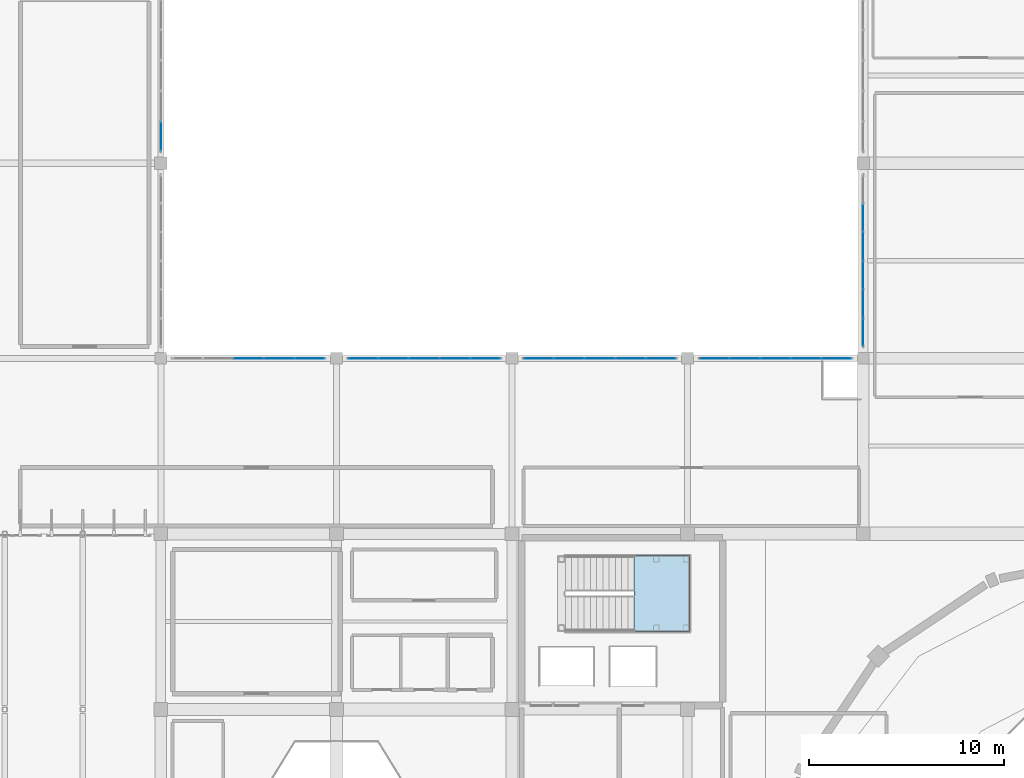
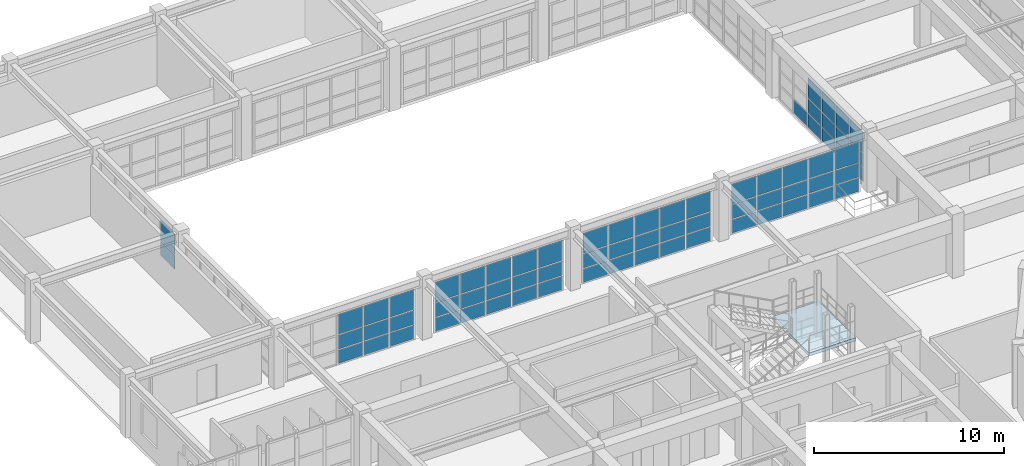
# One storey, part 85 of 110: 69 plates, 1 slab, 7 elements without a shape of their own.
"""IFC4 building model written with IfcOpenShell, lengths in metres."""

from ifc_helpers import new_model, si_unit, direction, frame, origin, origin_2d, place, context, subcontext, project, spatial, polyline, rectangle, outline, extrude, material, layer, layer_set, type_object, element, aggregate, save


model = new_model("IFC4")

# Units and contexts
model_context = context("Model", 3, precision=1e-05, world=origin(), true_north=direction((0.0, 1.0)))
body_context = subcontext(model_context, "Body", "Model", "MODEL_VIEW")
ifc_project = project(units=[si_unit("LENGTHUNIT", "METRE"), si_unit("AREAUNIT", "SQUARE_METRE"), si_unit("VOLUMEUNIT", "CUBIC_METRE"), si_unit("PLANEANGLEUNIT", "RADIAN"), si_unit("MASSUNIT", "GRAM", prefix="KILO")], contexts=[model_context])

# Site, building, storey
site_placement = place(None, origin())
site = spatial("IfcSite", under=ifc_project, at=site_placement, CompositionType="ELEMENT")
building_placement = place(site_placement, origin())
building = spatial("IfcBuilding", under=site, at=building_placement, Name="Miravela Opera House", CompositionType="ELEMENT")
storey_placement = place(building_placement, frame((0.0, 0.0, 13.60009765625)))
storey = spatial("IfcBuildingStorey", under=building, at=storey_placement, Name="L03", CompositionType="ELEMENT", Elevation=13.60009765625)

# Curtain wall, plates
ifc_material_1 = material(Name="Anodised architectural bronze aluminium 6063-T6", Category="aluminium")
curtain_wall_type = type_object("IfcCurtainWallType", Name="ARC-CW-05", PredefinedType="NOTDEFINED", material=ifc_material_1)
curtain_wall_1_placement = place(storey_placement, origin())
curtain_wall_1 = element("IfcCurtainWall", 1, at=curtain_wall_1_placement, inside=storey, type_object=curtain_wall_type, Name="Courtyard Arcade Curtain Wall CW-L03-101", PredefinedType="NOTDEFINED")
ifc_material_2 = material(Name="Acoustic laminated low-E insulating glass", Category="glass")
ifc_layer_1 = layer(ifc_material_2, 0.028076171875)
ifc_layer_set_1 = layer_set([ifc_layer_1])
plate_type = type_object("IfcPlateType", Name="ARC-CWP-28", PredefinedType="CURTAIN_PANEL", material=ifc_layer_set_1)
plate_1_placement = place(storey_placement, frame((31.5, 84.0, 0.06005859375), z_axis=(0.0, 0.0, 1.0), x_axis=(1.0, 0.0, 0.0)))
plate_1 = element("IfcPlate", 2, at=plate_1_placement, type_object=plate_type, Name="CW-05 panel 3.1", PredefinedType="CURTAIN_PANEL", context=body_context, shape_type="SweptSolid", body=[
    extrude(rectangle(XDim=1.508056640625, YDim=0.028076171875, at=origin_2d()), origin(), (0.0, 0.0, 1.0), 0.860107421875),
])
plate_2_placement = place(storey_placement, frame((31.5, 84.0, 0.97998046875), z_axis=(0.0, 0.0, 1.0), x_axis=(1.0, 0.0, 0.0)))
plate_2 = element("IfcPlate", 3, at=plate_2_placement, type_object=plate_type, Name="CW-05 panel 3.2", PredefinedType="CURTAIN_PANEL", context=body_context, shape_type="SweptSolid", body=[
    extrude(rectangle(XDim=1.508056640625, YDim=0.028076171875, at=origin_2d()), origin(), (0.0, 0.0, 1.0), 0.898193359375),
])
plate_3_placement = place(storey_placement, frame((31.5, 84.0, 1.93798828125), z_axis=(0.0, 0.0, 1.0), x_axis=(1.0, 0.0, 0.0)))
plate_3 = element("IfcPlate", 4, at=plate_3_placement, type_object=plate_type, Name="CW-05 panel 3.3", PredefinedType="CURTAIN_PANEL", context=body_context, shape_type="SweptSolid", body=[
    extrude(rectangle(XDim=1.508056640625, YDim=0.028076171875, at=origin_2d()), origin(), (0.0, 0.0, 1.0), 1.291748046875),
])
plate_4_placement = place(storey_placement, frame((33.068115234375, 84.0, 0.06005859375), z_axis=(0.0, 0.0, 1.0), x_axis=(1.0, 0.0, 0.0)))
plate_4 = element("IfcPlate", 5, at=plate_4_placement, type_object=plate_type, Name="CW-05 panel 4.1", PredefinedType="CURTAIN_PANEL", context=body_context, shape_type="SweptSolid", body=[
    extrude(rectangle(XDim=1.508056640625, YDim=0.028076171875, at=origin_2d()), origin(), (0.0, 0.0, 1.0), 0.860107421875),
])
plate_5_placement = place(storey_placement, frame((33.068115234375, 84.0, 0.97998046875), z_axis=(0.0, 0.0, 1.0), x_axis=(1.0, 0.0, 0.0)))
plate_5 = element("IfcPlate", 6, at=plate_5_placement, type_object=plate_type, Name="CW-05 panel 4.2", PredefinedType="CURTAIN_PANEL", context=body_context, shape_type="SweptSolid", body=[
    extrude(rectangle(XDim=1.508056640625, YDim=0.028076171875, at=origin_2d()), origin(), (0.0, 0.0, 1.0), 0.898193359375),
])
plate_6_placement = place(storey_placement, frame((33.068115234375, 84.0, 1.93798828125), z_axis=(0.0, 0.0, 1.0), x_axis=(1.0, 0.0, 0.0)))
plate_6 = element("IfcPlate", 7, at=plate_6_placement, type_object=plate_type, Name="CW-05 panel 4.3", PredefinedType="CURTAIN_PANEL", context=body_context, shape_type="SweptSolid", body=[
    extrude(rectangle(XDim=1.508056640625, YDim=0.028076171875, at=origin_2d()), origin(), (0.0, 0.0, 1.0), 1.291748046875),
])
plate_7_placement = place(storey_placement, frame((34.62109375, 84.0, 0.06005859375), z_axis=(0.0, 0.0, 1.0), x_axis=(1.0, 0.0, 0.0)))
plate_7 = element("IfcPlate", 8, at=plate_7_placement, type_object=plate_type, Name="CW-05 panel 5.1", PredefinedType="CURTAIN_PANEL", context=body_context, shape_type="SweptSolid", body=[
    extrude(rectangle(XDim=1.47802734375, YDim=0.028076171875, at=origin_2d()), origin(), (0.0, 0.0, 1.0), 0.860107421875),
])
plate_8_placement = place(storey_placement, frame((34.62109375, 84.0, 0.97998046875), z_axis=(0.0, 0.0, 1.0), x_axis=(1.0, 0.0, 0.0)))
plate_8 = element("IfcPlate", 9, at=plate_8_placement, type_object=plate_type, Name="CW-05 panel 5.2", PredefinedType="CURTAIN_PANEL", context=body_context, shape_type="SweptSolid", body=[
    extrude(rectangle(XDim=1.47802734375, YDim=0.028076171875, at=origin_2d()), origin(), (0.0, 0.0, 1.0), 0.898193359375),
])
plate_9_placement = place(storey_placement, frame((34.62109375, 84.0, 1.93798828125), z_axis=(0.0, 0.0, 1.0), x_axis=(1.0, 0.0, 0.0)))
plate_9 = element("IfcPlate", 10, at=plate_9_placement, type_object=plate_type, Name="CW-05 panel 5.3", PredefinedType="CURTAIN_PANEL", context=body_context, shape_type="SweptSolid", body=[
    extrude(rectangle(XDim=1.47802734375, YDim=0.028076171875, at=origin_2d()), origin(), (0.0, 0.0, 1.0), 1.291748046875),
])
aggregate(curtain_wall_1, [plate_1, plate_2, plate_3, plate_4, plate_5, plate_6, plate_7, plate_8, plate_9])

curtain_wall_2_placement = place(storey_placement, origin())
curtain_wall_2 = element("IfcCurtainWall", 11, at=curtain_wall_2_placement, inside=storey, type_object=curtain_wall_type, Name="Courtyard Arcade Curtain Wall CW-L03-103", PredefinedType="NOTDEFINED")
plate_10_placement = place(storey_placement, frame((37.37890625, 84.0, 0.06005859375), z_axis=(0.0, 0.0, 1.0), x_axis=(1.0, 0.0, 0.0)))
plate_10 = element("IfcPlate", 12, at=plate_10_placement, type_object=plate_type, Name="CW-05 panel 1.1", PredefinedType="CURTAIN_PANEL", context=body_context, shape_type="SweptSolid", body=[
    extrude(rectangle(XDim=1.47802734375, YDim=0.028076171875, at=origin_2d()), origin(), (0.0, 0.0, 1.0), 0.860107421875),
])
plate_11_placement = place(storey_placement, frame((37.37890625, 84.0, 0.97998046875), z_axis=(0.0, 0.0, 1.0), x_axis=(1.0, 0.0, 0.0)))
plate_11 = element("IfcPlate", 13, at=plate_11_placement, type_object=plate_type, Name="CW-05 panel 1.2", PredefinedType="CURTAIN_PANEL", context=body_context, shape_type="SweptSolid", body=[
    extrude(rectangle(XDim=1.47802734375, YDim=0.028076171875, at=origin_2d()), origin(), (0.0, 0.0, 1.0), 0.898193359375),
])
plate_12_placement = place(storey_placement, frame((37.37890625, 84.0, 1.93798828125), z_axis=(0.0, 0.0, 1.0), x_axis=(1.0, 0.0, 0.0)))
plate_12 = element("IfcPlate", 14, at=plate_12_placement, type_object=plate_type, Name="CW-05 panel 1.3", PredefinedType="CURTAIN_PANEL", context=body_context, shape_type="SweptSolid", body=[
    extrude(rectangle(XDim=1.47802734375, YDim=0.028076171875, at=origin_2d()), origin(), (0.0, 0.0, 1.0), 1.291748046875),
])
plate_13_placement = place(storey_placement, frame((38.931884765625, 84.0, 0.06005859375), z_axis=(0.0, 0.0, 1.0), x_axis=(1.0, 0.0, 0.0)))
plate_13 = element("IfcPlate", 15, at=plate_13_placement, type_object=plate_type, Name="CW-05 panel 2.1", PredefinedType="CURTAIN_PANEL", context=body_context, shape_type="SweptSolid", body=[
    extrude(rectangle(XDim=1.508056640625, YDim=0.028076171875, at=origin_2d()), origin(), (0.0, 0.0, 1.0), 0.860107421875),
])
plate_14_placement = place(storey_placement, frame((38.931884765625, 84.0, 0.97998046875), z_axis=(0.0, 0.0, 1.0), x_axis=(1.0, 0.0, 0.0)))
plate_14 = element("IfcPlate", 16, at=plate_14_placement, type_object=plate_type, Name="CW-05 panel 2.2", PredefinedType="CURTAIN_PANEL", context=body_context, shape_type="SweptSolid", body=[
    extrude(rectangle(XDim=1.508056640625, YDim=0.028076171875, at=origin_2d()), origin(), (0.0, 0.0, 1.0), 0.898193359375),
])
plate_15_placement = place(storey_placement, frame((38.931884765625, 84.0, 1.93798828125), z_axis=(0.0, 0.0, 1.0), x_axis=(1.0, 0.0, 0.0)))
plate_15 = element("IfcPlate", 17, at=plate_15_placement, type_object=plate_type, Name="CW-05 panel 2.3", PredefinedType="CURTAIN_PANEL", context=body_context, shape_type="SweptSolid", body=[
    extrude(rectangle(XDim=1.508056640625, YDim=0.028076171875, at=origin_2d()), origin(), (0.0, 0.0, 1.0), 1.291748046875),
])
plate_16_placement = place(storey_placement, frame((40.5, 84.0, 0.06005859375), z_axis=(0.0, 0.0, 1.0), x_axis=(1.0, 0.0, 0.0)))
plate_16 = element("IfcPlate", 18, at=plate_16_placement, type_object=plate_type, Name="CW-05 panel 3.1", PredefinedType="CURTAIN_PANEL", context=body_context, shape_type="SweptSolid", body=[
    extrude(rectangle(XDim=1.508056640625, YDim=0.028076171875, at=origin_2d()), origin(), (0.0, 0.0, 1.0), 0.860107421875),
])
plate_17_placement = place(storey_placement, frame((40.5, 84.0, 0.97998046875), z_axis=(0.0, 0.0, 1.0), x_axis=(1.0, 0.0, 0.0)))
plate_17 = element("IfcPlate", 19, at=plate_17_placement, type_object=plate_type, Name="CW-05 panel 3.2", PredefinedType="CURTAIN_PANEL", context=body_context, shape_type="SweptSolid", body=[
    extrude(rectangle(XDim=1.508056640625, YDim=0.028076171875, at=origin_2d()), origin(), (0.0, 0.0, 1.0), 0.898193359375),
])
plate_18_placement = place(storey_placement, frame((40.5, 84.0, 1.93798828125), z_axis=(0.0, 0.0, 1.0), x_axis=(1.0, 0.0, 0.0)))
plate_18 = element("IfcPlate", 20, at=plate_18_placement, type_object=plate_type, Name="CW-05 panel 3.3", PredefinedType="CURTAIN_PANEL", context=body_context, shape_type="SweptSolid", body=[
    extrude(rectangle(XDim=1.508056640625, YDim=0.028076171875, at=origin_2d()), origin(), (0.0, 0.0, 1.0), 1.291748046875),
])
plate_19_placement = place(storey_placement, frame((42.068115234375, 84.0, 0.06005859375), z_axis=(0.0, 0.0, 1.0), x_axis=(1.0, 0.0, 0.0)))
plate_19 = element("IfcPlate", 21, at=plate_19_placement, type_object=plate_type, Name="CW-05 panel 4.1", PredefinedType="CURTAIN_PANEL", context=body_context, shape_type="SweptSolid", body=[
    extrude(rectangle(XDim=1.508056640625, YDim=0.028076171875, at=origin_2d()), origin(), (0.0, 0.0, 1.0), 0.860107421875),
])
plate_20_placement = place(storey_placement, frame((42.068115234375, 84.0, 0.97998046875), z_axis=(0.0, 0.0, 1.0), x_axis=(1.0, 0.0, 0.0)))
plate_20 = element("IfcPlate", 22, at=plate_20_placement, type_object=plate_type, Name="CW-05 panel 4.2", PredefinedType="CURTAIN_PANEL", context=body_context, shape_type="SweptSolid", body=[
    extrude(rectangle(XDim=1.508056640625, YDim=0.028076171875, at=origin_2d()), origin(), (0.0, 0.0, 1.0), 0.898193359375),
])
plate_21_placement = place(storey_placement, frame((42.068115234375, 84.0, 1.93798828125), z_axis=(0.0, 0.0, 1.0), x_axis=(1.0, 0.0, 0.0)))
plate_21 = element("IfcPlate", 23, at=plate_21_placement, type_object=plate_type, Name="CW-05 panel 4.3", PredefinedType="CURTAIN_PANEL", context=body_context, shape_type="SweptSolid", body=[
    extrude(rectangle(XDim=1.508056640625, YDim=0.028076171875, at=origin_2d()), origin(), (0.0, 0.0, 1.0), 1.291748046875),
])
plate_22_placement = place(storey_placement, frame((43.62109375, 84.0, 0.06005859375), z_axis=(0.0, 0.0, 1.0), x_axis=(1.0, 0.0, 0.0)))
plate_22 = element("IfcPlate", 24, at=plate_22_placement, type_object=plate_type, Name="CW-05 panel 5.1", PredefinedType="CURTAIN_PANEL", context=body_context, shape_type="SweptSolid", body=[
    extrude(rectangle(XDim=1.47802734375, YDim=0.028076171875, at=origin_2d()), origin(), (0.0, 0.0, 1.0), 0.860107421875),
])
plate_23_placement = place(storey_placement, frame((43.62109375, 84.0, 0.97998046875), z_axis=(0.0, 0.0, 1.0), x_axis=(1.0, 0.0, 0.0)))
plate_23 = element("IfcPlate", 25, at=plate_23_placement, type_object=plate_type, Name="CW-05 panel 5.2", PredefinedType="CURTAIN_PANEL", context=body_context, shape_type="SweptSolid", body=[
    extrude(rectangle(XDim=1.47802734375, YDim=0.028076171875, at=origin_2d()), origin(), (0.0, 0.0, 1.0), 0.898193359375),
])
plate_24_placement = place(storey_placement, frame((43.62109375, 84.0, 1.93798828125), z_axis=(0.0, 0.0, 1.0), x_axis=(1.0, 0.0, 0.0)))
plate_24 = element("IfcPlate", 26, at=plate_24_placement, type_object=plate_type, Name="CW-05 panel 5.3", PredefinedType="CURTAIN_PANEL", context=body_context, shape_type="SweptSolid", body=[
    extrude(rectangle(XDim=1.47802734375, YDim=0.028076171875, at=origin_2d()), origin(), (0.0, 0.0, 1.0), 1.291748046875),
])
aggregate(curtain_wall_2, [plate_10, plate_11, plate_12, plate_13, plate_14, plate_15, plate_16, plate_17, plate_18, plate_19, plate_20, plate_21, plate_22, plate_23, plate_24])

curtain_wall_3_placement = place(storey_placement, origin())
curtain_wall_3 = element("IfcCurtainWall", 27, at=curtain_wall_3_placement, inside=storey, type_object=curtain_wall_type, Name="Courtyard Arcade Curtain Wall CW-L03-105", PredefinedType="NOTDEFINED")
plate_25_placement = place(storey_placement, frame((46.37890625, 84.0, 0.06005859375), z_axis=(0.0, 0.0, 1.0), x_axis=(1.0, 0.0, 0.0)))
plate_25 = element("IfcPlate", 28, at=plate_25_placement, type_object=plate_type, Name="CW-05 panel 1.1", PredefinedType="CURTAIN_PANEL", context=body_context, shape_type="SweptSolid", body=[
    extrude(rectangle(XDim=1.47802734375, YDim=0.028076171875, at=origin_2d()), origin(), (0.0, 0.0, 1.0), 0.860107421875),
])
plate_26_placement = place(storey_placement, frame((46.37890625, 84.0, 0.97998046875), z_axis=(0.0, 0.0, 1.0), x_axis=(1.0, 0.0, 0.0)))
plate_26 = element("IfcPlate", 29, at=plate_26_placement, type_object=plate_type, Name="CW-05 panel 1.2", PredefinedType="CURTAIN_PANEL", context=body_context, shape_type="SweptSolid", body=[
    extrude(rectangle(XDim=1.47802734375, YDim=0.028076171875, at=origin_2d()), origin(), (0.0, 0.0, 1.0), 0.898193359375),
])
plate_27_placement = place(storey_placement, frame((46.37890625, 84.0, 1.93798828125), z_axis=(0.0, 0.0, 1.0), x_axis=(1.0, 0.0, 0.0)))
plate_27 = element("IfcPlate", 30, at=plate_27_placement, type_object=plate_type, Name="CW-05 panel 1.3", PredefinedType="CURTAIN_PANEL", context=body_context, shape_type="SweptSolid", body=[
    extrude(rectangle(XDim=1.47802734375, YDim=0.028076171875, at=origin_2d()), origin(), (0.0, 0.0, 1.0), 1.291748046875),
])
plate_28_placement = place(storey_placement, frame((47.931884765625, 84.0, 0.06005859375), z_axis=(0.0, 0.0, 1.0), x_axis=(1.0, 0.0, 0.0)))
plate_28 = element("IfcPlate", 31, at=plate_28_placement, type_object=plate_type, Name="CW-05 panel 2.1", PredefinedType="CURTAIN_PANEL", context=body_context, shape_type="SweptSolid", body=[
    extrude(rectangle(XDim=1.508056640625, YDim=0.028076171875, at=origin_2d()), origin(), (0.0, 0.0, 1.0), 0.860107421875),
])
plate_29_placement = place(storey_placement, frame((47.931884765625, 84.0, 0.97998046875), z_axis=(0.0, 0.0, 1.0), x_axis=(1.0, 0.0, 0.0)))
plate_29 = element("IfcPlate", 32, at=plate_29_placement, type_object=plate_type, Name="CW-05 panel 2.2", PredefinedType="CURTAIN_PANEL", context=body_context, shape_type="SweptSolid", body=[
    extrude(rectangle(XDim=1.508056640625, YDim=0.028076171875, at=origin_2d()), origin(), (0.0, 0.0, 1.0), 0.898193359375),
])
plate_30_placement = place(storey_placement, frame((47.931884765625, 84.0, 1.93798828125), z_axis=(0.0, 0.0, 1.0), x_axis=(1.0, 0.0, 0.0)))
plate_30 = element("IfcPlate", 33, at=plate_30_placement, type_object=plate_type, Name="CW-05 panel 2.3", PredefinedType="CURTAIN_PANEL", context=body_context, shape_type="SweptSolid", body=[
    extrude(rectangle(XDim=1.508056640625, YDim=0.028076171875, at=origin_2d()), origin(), (0.0, 0.0, 1.0), 1.291748046875),
])
plate_31_placement = place(storey_placement, frame((49.5, 84.0, 0.06005859375), z_axis=(0.0, 0.0, 1.0), x_axis=(1.0, 0.0, 0.0)))
plate_31 = element("IfcPlate", 34, at=plate_31_placement, type_object=plate_type, Name="CW-05 panel 3.1", PredefinedType="CURTAIN_PANEL", context=body_context, shape_type="SweptSolid", body=[
    extrude(rectangle(XDim=1.508056640625, YDim=0.028076171875, at=origin_2d()), origin(), (0.0, 0.0, 1.0), 0.860107421875),
])
plate_32_placement = place(storey_placement, frame((49.5, 84.0, 0.97998046875), z_axis=(0.0, 0.0, 1.0), x_axis=(1.0, 0.0, 0.0)))
plate_32 = element("IfcPlate", 35, at=plate_32_placement, type_object=plate_type, Name="CW-05 panel 3.2", PredefinedType="CURTAIN_PANEL", context=body_context, shape_type="SweptSolid", body=[
    extrude(rectangle(XDim=1.508056640625, YDim=0.028076171875, at=origin_2d()), origin(), (0.0, 0.0, 1.0), 0.898193359375),
])
plate_33_placement = place(storey_placement, frame((49.5, 84.0, 1.93798828125), z_axis=(0.0, 0.0, 1.0), x_axis=(1.0, 0.0, 0.0)))
plate_33 = element("IfcPlate", 36, at=plate_33_placement, type_object=plate_type, Name="CW-05 panel 3.3", PredefinedType="CURTAIN_PANEL", context=body_context, shape_type="SweptSolid", body=[
    extrude(rectangle(XDim=1.508056640625, YDim=0.028076171875, at=origin_2d()), origin(), (0.0, 0.0, 1.0), 1.291748046875),
])
plate_34_placement = place(storey_placement, frame((51.068115234375, 84.0, 0.06005859375), z_axis=(0.0, 0.0, 1.0), x_axis=(1.0, 0.0, 0.0)))
plate_34 = element("IfcPlate", 37, at=plate_34_placement, type_object=plate_type, Name="CW-05 panel 4.1", PredefinedType="CURTAIN_PANEL", context=body_context, shape_type="SweptSolid", body=[
    extrude(rectangle(XDim=1.508056640625, YDim=0.028076171875, at=origin_2d()), origin(), (0.0, 0.0, 1.0), 0.860107421875),
])
plate_35_placement = place(storey_placement, frame((51.068115234375, 84.0, 0.97998046875), z_axis=(0.0, 0.0, 1.0), x_axis=(1.0, 0.0, 0.0)))
plate_35 = element("IfcPlate", 38, at=plate_35_placement, type_object=plate_type, Name="CW-05 panel 4.2", PredefinedType="CURTAIN_PANEL", context=body_context, shape_type="SweptSolid", body=[
    extrude(rectangle(XDim=1.508056640625, YDim=0.028076171875, at=origin_2d()), origin(), (0.0, 0.0, 1.0), 0.898193359375),
])
plate_36_placement = place(storey_placement, frame((51.068115234375, 84.0, 1.93798828125), z_axis=(0.0, 0.0, 1.0), x_axis=(1.0, 0.0, 0.0)))
plate_36 = element("IfcPlate", 39, at=plate_36_placement, type_object=plate_type, Name="CW-05 panel 4.3", PredefinedType="CURTAIN_PANEL", context=body_context, shape_type="SweptSolid", body=[
    extrude(rectangle(XDim=1.508056640625, YDim=0.028076171875, at=origin_2d()), origin(), (0.0, 0.0, 1.0), 1.291748046875),
])
plate_37_placement = place(storey_placement, frame((52.62109375, 84.0, 0.06005859375), z_axis=(0.0, 0.0, 1.0), x_axis=(1.0, 0.0, 0.0)))
plate_37 = element("IfcPlate", 40, at=plate_37_placement, type_object=plate_type, Name="CW-05 panel 5.1", PredefinedType="CURTAIN_PANEL", context=body_context, shape_type="SweptSolid", body=[
    extrude(rectangle(XDim=1.47802734375, YDim=0.028076171875, at=origin_2d()), origin(), (0.0, 0.0, 1.0), 0.860107421875),
])
plate_38_placement = place(storey_placement, frame((52.62109375, 84.0, 0.97998046875), z_axis=(0.0, 0.0, 1.0), x_axis=(1.0, 0.0, 0.0)))
plate_38 = element("IfcPlate", 41, at=plate_38_placement, type_object=plate_type, Name="CW-05 panel 5.2", PredefinedType="CURTAIN_PANEL", context=body_context, shape_type="SweptSolid", body=[
    extrude(rectangle(XDim=1.47802734375, YDim=0.028076171875, at=origin_2d()), origin(), (0.0, 0.0, 1.0), 0.898193359375),
])
plate_39_placement = place(storey_placement, frame((52.62109375, 84.0, 1.93798828125), z_axis=(0.0, 0.0, 1.0), x_axis=(1.0, 0.0, 0.0)))
plate_39 = element("IfcPlate", 42, at=plate_39_placement, type_object=plate_type, Name="CW-05 panel 5.3", PredefinedType="CURTAIN_PANEL", context=body_context, shape_type="SweptSolid", body=[
    extrude(rectangle(XDim=1.47802734375, YDim=0.028076171875, at=origin_2d()), origin(), (0.0, 0.0, 1.0), 1.291748046875),
])
aggregate(curtain_wall_3, [plate_25, plate_26, plate_27, plate_28, plate_29, plate_30, plate_31, plate_32, plate_33, plate_34, plate_35, plate_36, plate_37, plate_38, plate_39])

curtain_wall_4_placement = place(storey_placement, origin())
curtain_wall_4 = element("IfcCurtainWall", 43, at=curtain_wall_4_placement, inside=storey, type_object=curtain_wall_type, Name="Courtyard Arcade Curtain Wall CW-L03-107", PredefinedType="NOTDEFINED")
plate_40_placement = place(storey_placement, frame((55.37890625, 84.0, 0.06005859375), z_axis=(0.0, 0.0, 1.0), x_axis=(1.0, 0.0, 0.0)))
plate_40 = element("IfcPlate", 44, at=plate_40_placement, type_object=plate_type, Name="CW-05 panel 1.1", PredefinedType="CURTAIN_PANEL", context=body_context, shape_type="SweptSolid", body=[
    extrude(rectangle(XDim=1.47802734375, YDim=0.028076171875, at=origin_2d()), origin(), (0.0, 0.0, 1.0), 0.860107421875),
])
plate_41_placement = place(storey_placement, frame((55.37890625, 84.0, 0.97998046875), z_axis=(0.0, 0.0, 1.0), x_axis=(1.0, 0.0, 0.0)))
plate_41 = element("IfcPlate", 45, at=plate_41_placement, type_object=plate_type, Name="CW-05 panel 1.2", PredefinedType="CURTAIN_PANEL", context=body_context, shape_type="SweptSolid", body=[
    extrude(rectangle(XDim=1.47802734375, YDim=0.028076171875, at=origin_2d()), origin(), (0.0, 0.0, 1.0), 0.898193359375),
])
plate_42_placement = place(storey_placement, frame((55.37890625, 84.0, 1.93798828125), z_axis=(0.0, 0.0, 1.0), x_axis=(1.0, 0.0, 0.0)))
plate_42 = element("IfcPlate", 46, at=plate_42_placement, type_object=plate_type, Name="CW-05 panel 1.3", PredefinedType="CURTAIN_PANEL", context=body_context, shape_type="SweptSolid", body=[
    extrude(rectangle(XDim=1.47802734375, YDim=0.028076171875, at=origin_2d()), origin(), (0.0, 0.0, 1.0), 1.291748046875),
])
plate_43_placement = place(storey_placement, frame((56.931884765625, 84.0, 0.06005859375), z_axis=(0.0, 0.0, 1.0), x_axis=(1.0, 0.0, 0.0)))
plate_43 = element("IfcPlate", 47, at=plate_43_placement, type_object=plate_type, Name="CW-05 panel 2.1", PredefinedType="CURTAIN_PANEL", context=body_context, shape_type="SweptSolid", body=[
    extrude(rectangle(XDim=1.508056640625, YDim=0.028076171875, at=origin_2d()), origin(), (0.0, 0.0, 1.0), 0.860107421875),
])
plate_44_placement = place(storey_placement, frame((56.931884765625, 84.0, 0.97998046875), z_axis=(0.0, 0.0, 1.0), x_axis=(1.0, 0.0, 0.0)))
plate_44 = element("IfcPlate", 48, at=plate_44_placement, type_object=plate_type, Name="CW-05 panel 2.2", PredefinedType="CURTAIN_PANEL", context=body_context, shape_type="SweptSolid", body=[
    extrude(rectangle(XDim=1.508056640625, YDim=0.028076171875, at=origin_2d()), origin(), (0.0, 0.0, 1.0), 0.898193359375),
])
plate_45_placement = place(storey_placement, frame((56.931884765625, 84.0, 1.93798828125), z_axis=(0.0, 0.0, 1.0), x_axis=(1.0, 0.0, 0.0)))
plate_45 = element("IfcPlate", 49, at=plate_45_placement, type_object=plate_type, Name="CW-05 panel 2.3", PredefinedType="CURTAIN_PANEL", context=body_context, shape_type="SweptSolid", body=[
    extrude(rectangle(XDim=1.508056640625, YDim=0.028076171875, at=origin_2d()), origin(), (0.0, 0.0, 1.0), 1.291748046875),
])
plate_46_placement = place(storey_placement, frame((58.5, 84.0, 0.06005859375), z_axis=(0.0, 0.0, 1.0), x_axis=(1.0, 0.0, 0.0)))
plate_46 = element("IfcPlate", 50, at=plate_46_placement, type_object=plate_type, Name="CW-05 panel 3.1", PredefinedType="CURTAIN_PANEL", context=body_context, shape_type="SweptSolid", body=[
    extrude(rectangle(XDim=1.508056640625, YDim=0.028076171875, at=origin_2d()), origin(), (0.0, 0.0, 1.0), 0.860107421875),
])
plate_47_placement = place(storey_placement, frame((58.5, 84.0, 0.97998046875), z_axis=(0.0, 0.0, 1.0), x_axis=(1.0, 0.0, 0.0)))
plate_47 = element("IfcPlate", 51, at=plate_47_placement, type_object=plate_type, Name="CW-05 panel 3.2", PredefinedType="CURTAIN_PANEL", context=body_context, shape_type="SweptSolid", body=[
    extrude(rectangle(XDim=1.508056640625, YDim=0.028076171875, at=origin_2d()), origin(), (0.0, 0.0, 1.0), 0.898193359375),
])
plate_48_placement = place(storey_placement, frame((58.5, 84.0, 1.93798828125), z_axis=(0.0, 0.0, 1.0), x_axis=(1.0, 0.0, 0.0)))
plate_48 = element("IfcPlate", 52, at=plate_48_placement, type_object=plate_type, Name="CW-05 panel 3.3", PredefinedType="CURTAIN_PANEL", context=body_context, shape_type="SweptSolid", body=[
    extrude(rectangle(XDim=1.508056640625, YDim=0.028076171875, at=origin_2d()), origin(), (0.0, 0.0, 1.0), 1.291748046875),
])
plate_49_placement = place(storey_placement, frame((60.068115234375, 84.0, 0.06005859375), z_axis=(0.0, 0.0, 1.0), x_axis=(1.0, 0.0, 0.0)))
plate_49 = element("IfcPlate", 53, at=plate_49_placement, type_object=plate_type, Name="CW-05 panel 4.1", PredefinedType="CURTAIN_PANEL", context=body_context, shape_type="SweptSolid", body=[
    extrude(rectangle(XDim=1.508056640625, YDim=0.028076171875, at=origin_2d()), origin(), (0.0, 0.0, 1.0), 0.860107421875),
])
plate_50_placement = place(storey_placement, frame((60.068115234375, 84.0, 0.97998046875), z_axis=(0.0, 0.0, 1.0), x_axis=(1.0, 0.0, 0.0)))
plate_50 = element("IfcPlate", 54, at=plate_50_placement, type_object=plate_type, Name="CW-05 panel 4.2", PredefinedType="CURTAIN_PANEL", context=body_context, shape_type="SweptSolid", body=[
    extrude(rectangle(XDim=1.508056640625, YDim=0.028076171875, at=origin_2d()), origin(), (0.0, 0.0, 1.0), 0.898193359375),
])
plate_51_placement = place(storey_placement, frame((60.068115234375, 84.0, 1.93798828125), z_axis=(0.0, 0.0, 1.0), x_axis=(1.0, 0.0, 0.0)))
plate_51 = element("IfcPlate", 55, at=plate_51_placement, type_object=plate_type, Name="CW-05 panel 4.3", PredefinedType="CURTAIN_PANEL", context=body_context, shape_type="SweptSolid", body=[
    extrude(rectangle(XDim=1.508056640625, YDim=0.028076171875, at=origin_2d()), origin(), (0.0, 0.0, 1.0), 1.291748046875),
])
plate_52_placement = place(storey_placement, frame((61.62109375, 84.0, 0.06005859375), z_axis=(0.0, 0.0, 1.0), x_axis=(1.0, 0.0, 0.0)))
plate_52 = element("IfcPlate", 56, at=plate_52_placement, type_object=plate_type, Name="CW-05 panel 5.1", PredefinedType="CURTAIN_PANEL", context=body_context, shape_type="SweptSolid", body=[
    extrude(rectangle(XDim=1.47802734375, YDim=0.028076171875, at=origin_2d()), origin(), (0.0, 0.0, 1.0), 0.860107421875),
])
plate_53_placement = place(storey_placement, frame((61.62109375, 84.0, 0.97998046875), z_axis=(0.0, 0.0, 1.0), x_axis=(1.0, 0.0, 0.0)))
plate_53 = element("IfcPlate", 57, at=plate_53_placement, type_object=plate_type, Name="CW-05 panel 5.2", PredefinedType="CURTAIN_PANEL", context=body_context, shape_type="SweptSolid", body=[
    extrude(rectangle(XDim=1.47802734375, YDim=0.028076171875, at=origin_2d()), origin(), (0.0, 0.0, 1.0), 0.898193359375),
])
plate_54_placement = place(storey_placement, frame((61.62109375, 84.0, 1.93798828125), z_axis=(0.0, 0.0, 1.0), x_axis=(1.0, 0.0, 0.0)))
plate_54 = element("IfcPlate", 58, at=plate_54_placement, type_object=plate_type, Name="CW-05 panel 5.3", PredefinedType="CURTAIN_PANEL", context=body_context, shape_type="SweptSolid", body=[
    extrude(rectangle(XDim=1.47802734375, YDim=0.028076171875, at=origin_2d()), origin(), (0.0, 0.0, 1.0), 1.291748046875),
])
aggregate(curtain_wall_4, [plate_40, plate_41, plate_42, plate_43, plate_44, plate_45, plate_46, plate_47, plate_48, plate_49, plate_50, plate_51, plate_52, plate_53, plate_54])

curtain_wall_5_placement = place(storey_placement, origin())
curtain_wall_5 = element("IfcCurtainWall", 59, at=curtain_wall_5_placement, inside=storey, type_object=curtain_wall_type, Name="Courtyard Arcade Curtain Wall CW-L03-110", PredefinedType="NOTDEFINED")
plate_55_placement = place(storey_placement, frame((27.0, 95.37890625, 0.97998046875), z_axis=(0.0, 0.0, 1.0), x_axis=(0.0, 1.0, 0.0)))
plate_55 = element("IfcPlate", 60, at=plate_55_placement, type_object=plate_type, Name="CW-05 panel 1.2", PredefinedType="CURTAIN_PANEL", context=body_context, shape_type="SweptSolid", body=[
    extrude(rectangle(XDim=1.47802734375, YDim=0.028076171875, at=origin_2d()), origin(), (0.0, 0.0, 1.0), 0.898193359375),
])
plate_56_placement = place(storey_placement, frame((27.0, 95.37890625, 1.93798828125), z_axis=(0.0, 0.0, 1.0), x_axis=(0.0, 1.0, 0.0)))
plate_56 = element("IfcPlate", 61, at=plate_56_placement, type_object=plate_type, Name="CW-05 panel 1.3", PredefinedType="CURTAIN_PANEL", context=body_context, shape_type="SweptSolid", body=[
    extrude(rectangle(XDim=1.47802734375, YDim=0.028076171875, at=origin_2d()), origin(), (0.0, 0.0, 1.0), 1.291748046875),
])
aggregate(curtain_wall_5, [plate_55, plate_56])

curtain_wall_6_placement = place(storey_placement, origin())
curtain_wall_6 = element("IfcCurtainWall", 62, at=curtain_wall_6_placement, inside=storey, type_object=curtain_wall_type, Name="Courtyard Arcade Curtain Wall CW-L03-111", PredefinedType="NOTDEFINED")
plate_57_placement = place(storey_placement, frame((63.0, 85.331787109375, 0.06005859375), z_axis=(0.0, 0.0, 1.0), x_axis=(0.0, 1.0, 0.0)))
plate_57 = element("IfcPlate", 63, at=plate_57_placement, type_object=plate_type, Name="CW-05 panel 1.1", PredefinedType="CURTAIN_PANEL", context=body_context, shape_type="SweptSolid", body=[
    extrude(rectangle(XDim=1.38330078125, YDim=0.028076171875, at=origin_2d()), origin(), (0.0, 0.0, 1.0), 0.860107421875),
])
plate_58_placement = place(storey_placement, frame((63.0, 85.331787109375, 0.97998046875), z_axis=(0.0, 0.0, 1.0), x_axis=(0.0, 1.0, 0.0)))
plate_58 = element("IfcPlate", 64, at=plate_58_placement, type_object=plate_type, Name="CW-05 panel 1.2", PredefinedType="CURTAIN_PANEL", context=body_context, shape_type="SweptSolid", body=[
    extrude(rectangle(XDim=1.38330078125, YDim=0.028076171875, at=origin_2d()), origin(), (0.0, 0.0, 1.0), 0.898193359375),
])
plate_59_placement = place(storey_placement, frame((63.0, 85.331787109375, 1.93798828125), z_axis=(0.0, 0.0, 1.0), x_axis=(0.0, 1.0, 0.0)))
plate_59 = element("IfcPlate", 65, at=plate_59_placement, type_object=plate_type, Name="CW-05 panel 1.3", PredefinedType="CURTAIN_PANEL", context=body_context, shape_type="SweptSolid", body=[
    extrude(rectangle(XDim=1.38330078125, YDim=0.028076171875, at=origin_2d()), origin(), (0.0, 0.0, 1.0), 1.291748046875),
])
plate_60_placement = place(storey_placement, frame((63.0, 86.7900390625, 0.06005859375), z_axis=(0.0, 0.0, 1.0), x_axis=(0.0, 1.0, 0.0)))
plate_60 = element("IfcPlate", 66, at=plate_60_placement, type_object=plate_type, Name="CW-05 panel 2.1", PredefinedType="CURTAIN_PANEL", context=body_context, shape_type="SweptSolid", body=[
    extrude(rectangle(XDim=1.413330078125, YDim=0.028076171875, at=origin_2d()), origin(), (0.0, 0.0, 1.0), 0.860107421875),
])
plate_61_placement = place(storey_placement, frame((63.0, 86.7900390625, 0.97998046875), z_axis=(0.0, 0.0, 1.0), x_axis=(0.0, 1.0, 0.0)))
plate_61 = element("IfcPlate", 67, at=plate_61_placement, type_object=plate_type, Name="CW-05 panel 2.2", PredefinedType="CURTAIN_PANEL", context=body_context, shape_type="SweptSolid", body=[
    extrude(rectangle(XDim=1.413330078125, YDim=0.028076171875, at=origin_2d()), origin(), (0.0, 0.0, 1.0), 0.898193359375),
])
plate_62_placement = place(storey_placement, frame((63.0, 86.7900390625, 1.93798828125), z_axis=(0.0, 0.0, 1.0), x_axis=(0.0, 1.0, 0.0)))
plate_62 = element("IfcPlate", 68, at=plate_62_placement, type_object=plate_type, Name="CW-05 panel 2.3", PredefinedType="CURTAIN_PANEL", context=body_context, shape_type="SweptSolid", body=[
    extrude(rectangle(XDim=1.413330078125, YDim=0.028076171875, at=origin_2d()), origin(), (0.0, 0.0, 1.0), 1.291748046875),
])
plate_63_placement = place(storey_placement, frame((63.0, 88.263427734375, 0.06005859375), z_axis=(0.0, 0.0, 1.0), x_axis=(0.0, 1.0, 0.0)))
plate_63 = element("IfcPlate", 69, at=plate_63_placement, type_object=plate_type, Name="CW-05 panel 3.1", PredefinedType="CURTAIN_PANEL", context=body_context, shape_type="SweptSolid", body=[
    extrude(rectangle(XDim=1.413330078125, YDim=0.028076171875, at=origin_2d()), origin(), (0.0, 0.0, 1.0), 0.860107421875),
])
plate_64_placement = place(storey_placement, frame((63.0, 88.263427734375, 0.97998046875), z_axis=(0.0, 0.0, 1.0), x_axis=(0.0, 1.0, 0.0)))
plate_64 = element("IfcPlate", 70, at=plate_64_placement, type_object=plate_type, Name="CW-05 panel 3.2", PredefinedType="CURTAIN_PANEL", context=body_context, shape_type="SweptSolid", body=[
    extrude(rectangle(XDim=1.413330078125, YDim=0.028076171875, at=origin_2d()), origin(), (0.0, 0.0, 1.0), 0.898193359375),
])
plate_65_placement = place(storey_placement, frame((63.0, 88.263427734375, 1.93798828125), z_axis=(0.0, 0.0, 1.0), x_axis=(0.0, 1.0, 0.0)))
plate_65 = element("IfcPlate", 71, at=plate_65_placement, type_object=plate_type, Name="CW-05 panel 3.3", PredefinedType="CURTAIN_PANEL", context=body_context, shape_type="SweptSolid", body=[
    extrude(rectangle(XDim=1.413330078125, YDim=0.028076171875, at=origin_2d()), origin(), (0.0, 0.0, 1.0), 1.291748046875),
])
plate_66_placement = place(storey_placement, frame((63.0, 89.736572265625, 0.06005859375), z_axis=(0.0, 0.0, 1.0), x_axis=(0.0, 1.0, 0.0)))
plate_66 = element("IfcPlate", 72, at=plate_66_placement, type_object=plate_type, Name="CW-05 panel 4.1", PredefinedType="CURTAIN_PANEL", context=body_context, shape_type="SweptSolid", body=[
    extrude(rectangle(XDim=1.413330078125, YDim=0.028076171875, at=origin_2d()), origin(), (0.0, 0.0, 1.0), 0.860107421875),
])
plate_67_placement = place(storey_placement, frame((63.0, 89.736572265625, 0.97998046875), z_axis=(0.0, 0.0, 1.0), x_axis=(0.0, 1.0, 0.0)))
plate_67 = element("IfcPlate", 73, at=plate_67_placement, type_object=plate_type, Name="CW-05 panel 4.2", PredefinedType="CURTAIN_PANEL", context=body_context, shape_type="SweptSolid", body=[
    extrude(rectangle(XDim=1.413330078125, YDim=0.028076171875, at=origin_2d()), origin(), (0.0, 0.0, 1.0), 0.898193359375),
])
plate_68_placement = place(storey_placement, frame((63.0, 89.736572265625, 1.93798828125), z_axis=(0.0, 0.0, 1.0), x_axis=(0.0, 1.0, 0.0)))
plate_68 = element("IfcPlate", 74, at=plate_68_placement, type_object=plate_type, Name="CW-05 panel 4.3", PredefinedType="CURTAIN_PANEL", context=body_context, shape_type="SweptSolid", body=[
    extrude(rectangle(XDim=1.413330078125, YDim=0.028076171875, at=origin_2d()), origin(), (0.0, 0.0, 1.0), 1.291748046875),
])
plate_69_placement = place(storey_placement, frame((63.0, 91.2099609375, 0.06005859375), z_axis=(0.0, 0.0, 1.0), x_axis=(0.0, 1.0, 0.0)))
plate_69 = element("IfcPlate", 75, at=plate_69_placement, type_object=plate_type, Name="CW-05 panel 5.1", PredefinedType="CURTAIN_PANEL", context=body_context, shape_type="SweptSolid", body=[
    extrude(rectangle(XDim=1.413330078125, YDim=0.028076171875, at=origin_2d()), origin(), (0.0, 0.0, 1.0), 0.860107421875),
])
aggregate(curtain_wall_6, [plate_57, plate_58, plate_59, plate_60, plate_61, plate_62, plate_63, plate_64, plate_65, plate_66, plate_67, plate_68, plate_69])

# Stair, slab
ifc_material_3 = material(Name="Concrete C35/45", Category="concrete")
stair_type = type_object("IfcStairType", Name="ARC-STAIR-CORE-1680", PredefinedType="HALF_TURN_STAIR", material=ifc_material_3)
stair_placement = place(storey_placement, origin())
stair = element("IfcStair", 76, at=stair_placement, inside=storey, type_object=stair_type, Name="L03 Core K1 North Foyer and Firefighting Core Exit Stair ST-01", PredefinedType="HALF_TURN_STAIR")
ifc_layer_2 = layer(ifc_material_3, 0.199951171875)
ifc_layer_set_2 = layer_set([ifc_layer_2])
slab_type = type_object("IfcSlabType", Name="ARC-LANDING-200", PredefinedType="LANDING", material=ifc_layer_set_2)
slab_placement = place(storey_placement, frame((0.0, 0.0, 1.83984375)))
slab = element("IfcSlab", 77, at=slab_placement, type_object=slab_type, Name="ST-01 landing 1", PredefinedType="LANDING", context=body_context, shape_type="SweptSolid", body=[
    extrude(outline(polyline([(51.260009765625, 70.0), (54.10009765625, 70.0), (54.10009765625, 73.8798828125), (51.260009765625, 73.8798828125), (51.260009765625, 70.0)])), origin(), (0.0, 0.0, 1.0), 0.199951171875),
])
aggregate(stair, [slab])

save(model, "model.ifc")
